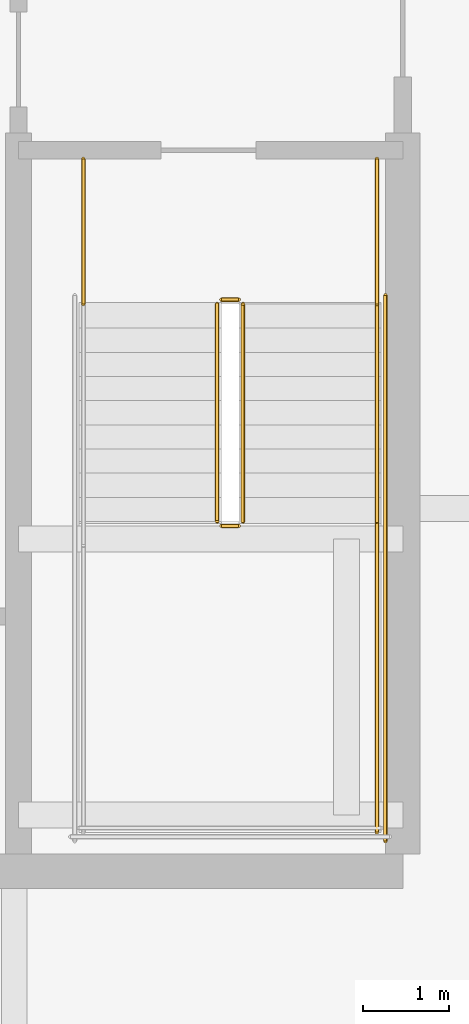
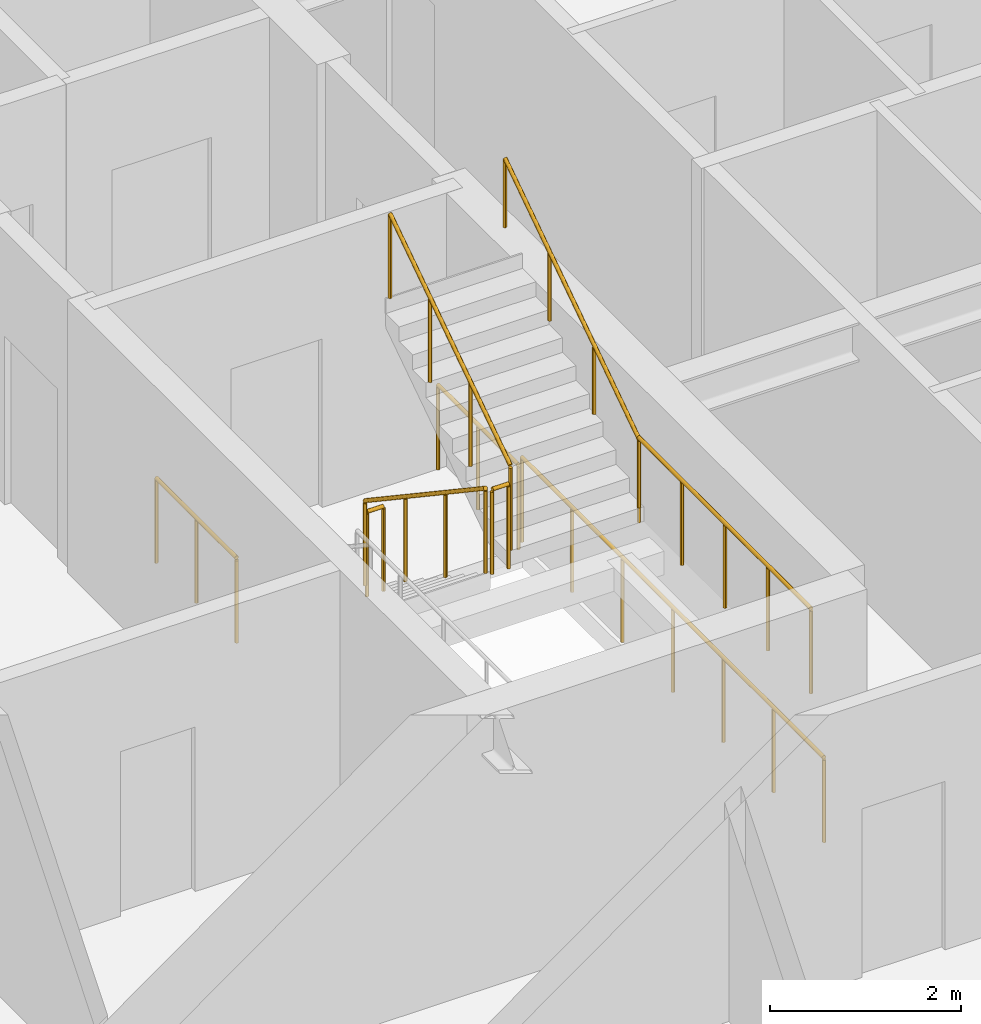
# One storey, part 33 of 35: 9 railings.
"""IFC4 building model written with IfcOpenShell, lengths in metres."""

from ifc_helpers import new_model, si_unit, direction, frame, origin, origin_2d, place, context, subcontext, project, spatial, circle, extrude, material, type_object, element, save


model = new_model("IFC4")

# Units and contexts
model_context = context("Model", 3, precision=1e-05, world=origin(), true_north=direction((0.0, 1.0)))
body_context = subcontext(model_context, "Body", "Model", "MODEL_VIEW")
ifc_project = project(units=[si_unit("LENGTHUNIT", "METRE"), si_unit("AREAUNIT", "SQUARE_METRE"), si_unit("VOLUMEUNIT", "CUBIC_METRE"), si_unit("PLANEANGLEUNIT", "RADIAN"), si_unit("MASSUNIT", "GRAM", prefix="KILO")], contexts=[model_context])

# Site, building, storey
site_placement = place(None, origin())
site = spatial("IfcSite", under=ifc_project, at=site_placement, CompositionType="ELEMENT")
building_placement = place(site_placement, origin())
building = spatial("IfcBuilding", under=site, at=building_placement, Name="Serunith Strait Residences", CompositionType="ELEMENT")
storey_placement = place(building_placement, frame((0.0, 0.0, 157.64990234375)))
storey = spatial("IfcBuildingStorey", under=building, at=storey_placement, Name="L39", CompositionType="ELEMENT", Elevation=157.64990234375)

# Railings
ifc_material = material(Name="Brushed stainless steel 316L", Category="steel")
railing_type_1 = type_object("IfcRailingType", Name="RLG-STAIR-GUARD", PredefinedType="BALUSTRADE", material=ifc_material)
railing_1_placement = place(storey_placement, frame((39.25, 23.3701171875, 0.1875)))
element("IfcRailing", 1, at=railing_1_placement, inside=storey, type_object=railing_type_1, Name="L39 ST-2 stair guard 1", PredefinedType="BALUSTRADE", context=body_context, shape_type="SweptSolid", body=[
    extrude(circle(Radius=0.02392578125, at=origin_2d()), frame((0.0, -0.001708984375, 1.0771484375), z_axis=(0.0, -0.830909170722, 0.55640807867), x_axis=(1.0, 0.0, 0.0)), (0.0, 0.0, 1.0), 3.02880859375),
    extrude(circle(Radius=0.02099609375, at=origin_2d()), origin(), (0.0, 0.0, 1.0), 1.050048828125),
    extrude(circle(Radius=0.02099609375, at=origin_2d()), frame((0.0, -0.840087890625, 0.5625)), (0.0, 0.0, 1.0), 1.050048828125),
    extrude(circle(Radius=0.02099609375, at=origin_2d()), frame((0.0, -1.679931640625, 1.125)), (0.0, 0.0, 1.0), 1.050048828125),
    extrude(circle(Radius=0.02099609375, at=origin_2d()), frame((0.0, -2.52001953125, 1.6875)), (0.0, 0.0, 1.0), 1.050048828125),
])
railing_2_placement = place(storey_placement, frame((39.300048828125, 20.800048828125, 1.875)))
element("IfcRailing", 2, at=railing_2_placement, inside=storey, type_object=railing_type_1, Name="L39 ST-2 stair guard 2", PredefinedType="BALUSTRADE", context=body_context, shape_type="SweptSolid", body=[
    extrude(circle(Radius=0.02392578125, at=origin_2d()), frame((0.001953125, 0.0, 1.076171875), z_axis=(1.0, 0.0, 0.0), x_axis=(0.0, 1.0, 0.0)), (0.0, 0.0, 1.0), 0.196044921875),
    extrude(circle(Radius=0.02099609375, at=origin_2d()), origin(), (0.0, 0.0, 1.0), 1.050048828125),
    extrude(circle(Radius=0.02099609375, at=origin_2d()), frame((0.199951171875, 0.0, 0.0)), (0.0, 0.0, 1.0), 1.050048828125),
])
railing_3_placement = place(storey_placement, frame((41.10009765625, 20.85009765625, 1.875)))
element("IfcRailing", 3, at=railing_3_placement, inside=storey, type_object=railing_type_1, Name="L39 ST-2 stair guard 4", PredefinedType="BALUSTRADE", context=body_context, shape_type="SweptSolid", body=[
    extrude(circle(Radius=0.02392578125, at=origin_2d()), frame((0.0, -0.001953125, 1.076171875), z_axis=(0.0, -1.0, 0.0), x_axis=(1.0, 0.0, 0.0)), (0.0, 0.0, 1.0), 3.59619140625),
    extrude(circle(Radius=0.02099609375, at=origin_2d()), origin(), (0.0, 0.0, 1.0), 1.050048828125),
    extrude(circle(Radius=0.02099609375, at=origin_2d()), frame((0.0, -0.89990234375, 0.0)), (0.0, 0.0, 1.0), 1.050048828125),
    extrude(circle(Radius=0.02099609375, at=origin_2d()), frame((0.0, -1.800048828125, 0.0)), (0.0, 0.0, 1.0), 1.050048828125),
    extrude(circle(Radius=0.02099609375, at=origin_2d()), frame((0.0, -2.7001953125, 0.0)), (0.0, 0.0, 1.0), 1.050048828125),
    extrude(circle(Radius=0.02099609375, at=origin_2d()), frame((0.0, -3.60009765625, 0.0)), (0.0, 0.0, 1.0), 1.050048828125),
])
railing_4_placement = place(storey_placement, frame((39.550048828125, 20.85009765625, 2.0625)))
element("IfcRailing", 4, at=railing_4_placement, inside=storey, type_object=railing_type_1, Name="L39 ST-2 stair guard 6", PredefinedType="BALUSTRADE", context=body_context, shape_type="SweptSolid", body=[
    extrude(circle(Radius=0.02392578125, at=origin_2d()), frame((0.0, 0.001708984375, 1.0771484375), z_axis=(0.0, 0.830909170722, 0.55640807867), x_axis=(-1.0, 0.0, 0.0)), (0.0, 0.0, 1.0), 3.02880859375),
    extrude(circle(Radius=0.02099609375, at=origin_2d()), origin(), (0.0, 0.0, 1.0), 1.050048828125),
    extrude(circle(Radius=0.02099609375, at=origin_2d()), frame((0.0, 0.840087890625, 0.5625)), (0.0, 0.0, 1.0), 1.050048828125),
    extrude(circle(Radius=0.02099609375, at=origin_2d()), frame((0.0, 1.679931640625, 1.125)), (0.0, 0.0, 1.0), 1.050048828125),
    extrude(circle(Radius=0.02099609375, at=origin_2d()), frame((0.0, 2.52001953125, 1.6875)), (0.0, 0.0, 1.0), 1.050048828125),
])
railing_5_placement = place(storey_placement, frame((39.300048828125, 23.419921875, 0.0)))
element("IfcRailing", 5, at=railing_5_placement, inside=storey, type_object=railing_type_1, Name="L39 ST-2 stair guard 7", PredefinedType="BALUSTRADE", context=body_context, shape_type="SweptSolid", body=[
    extrude(circle(Radius=0.02392578125, at=origin_2d()), frame((0.001953125, 0.0, 1.076171875), z_axis=(1.0, 0.0, 0.0), x_axis=(0.0, 1.0, 0.0)), (0.0, 0.0, 1.0), 0.196044921875),
    extrude(circle(Radius=0.02099609375, at=origin_2d()), origin(), (0.0, 0.0, 1.0), 1.050048828125),
    extrude(circle(Radius=0.02099609375, at=origin_2d()), frame((0.199951171875, 0.0, 0.0)), (0.0, 0.0, 1.0), 1.050048828125),
])
for number, where, name in (
    (6, (37.699951171875, 25.050048828125, 0.0), "L39 ST-2 stair guard 8"),
    (7, (41.10009765625, 25.050048828125, 0.0), "L39 ST-2 stair guard 9"),
):
    element("IfcRailing", number, at=place(storey_placement, frame(where)), inside=storey, type_object=railing_type_1, Name=name, PredefinedType="BALUSTRADE", context=body_context, shape_type="SweptSolid", body=[
        extrude(circle(Radius=0.02392578125, at=origin_2d()), frame((0.0, -0.001953125, 1.076171875), z_axis=(0.0, -1.0, 0.0), x_axis=(1.0, 0.0, 0.0)), (0.0, 0.0, 1.0), 1.676025390625),
        extrude(circle(Radius=0.02099609375, at=origin_2d()), origin(), (0.0, 0.0, 1.0), 1.050048828125),
        extrude(circle(Radius=0.02099609375, at=origin_2d()), frame((0.0, -0.83984375, 0.0)), (0.0, 0.0, 1.0), 1.050048828125),
        extrude(circle(Radius=0.02099609375, at=origin_2d()), frame((0.0, -1.679931640625, 0.0)), (0.0, 0.0, 1.0), 1.050048828125),
    ])
railing_6_placement = place(storey_placement, frame((41.199951171875, 23.469970703125, 0.0)))
element("IfcRailing", 8, at=railing_6_placement, inside=storey, type_object=railing_type_1, Name="L39 ST-2 stair guard 11", PredefinedType="BALUSTRADE", context=body_context, shape_type="SweptSolid", body=[
    extrude(circle(Radius=0.02392578125, at=origin_2d()), frame((0.0, -0.001953125, 1.076171875), z_axis=(0.0, -1.0, 0.0), x_axis=(1.0, 0.0, 0.0)), (0.0, 0.0, 1.0), 6.316162109375),
    extrude(circle(Radius=0.02099609375, at=origin_2d()), origin(), (0.0, 0.0, 1.0), 1.050048828125),
    extrude(circle(Radius=0.02099609375, at=origin_2d()), frame((0.0, -1.05322265625, 0.0)), (0.0, 0.0, 1.0), 1.050048828125),
    extrude(circle(Radius=0.02099609375, at=origin_2d()), frame((0.0, -2.106689453125, 0.0)), (0.0, 0.0, 1.0), 1.050048828125),
    extrude(circle(Radius=0.02099609375, at=origin_2d()), frame((0.0, -3.16015625, 0.0)), (0.0, 0.0, 1.0), 1.050048828125),
    extrude(circle(Radius=0.02099609375, at=origin_2d()), frame((0.0, -4.21337890625, 0.0)), (0.0, 0.0, 1.0), 1.050048828125),
    extrude(circle(Radius=0.02099609375, at=origin_2d()), frame((0.0, -5.2666015625, 0.0)), (0.0, 0.0, 1.0), 1.050048828125),
    extrude(circle(Radius=0.02099609375, at=origin_2d()), frame((0.0, -6.320068359375, 0.0)), (0.0, 0.0, 1.0), 1.050048828125),
])
railing_type_2 = type_object("IfcRailingType", Name="RLG-STAIR-HR", PredefinedType="HANDRAIL", material=ifc_material)
railing_7_placement = place(storey_placement, frame((41.10009765625, 20.85009765625, 2.0625)))
element("IfcRailing", 9, at=railing_7_placement, inside=storey, type_object=railing_type_2, Name="L39 ST-2 stair handrail 2", PredefinedType="HANDRAIL", context=body_context, shape_type="SweptSolid", body=[
    extrude(circle(Radius=0.02392578125, at=origin_2d()), frame((0.0, 0.001708984375, 0.876953125), z_axis=(0.0, 0.830185712471, 0.557486935101), x_axis=(-1.0, 0.0, 0.0)), (0.0, 0.0, 1.0), 3.368408203125),
    extrude(circle(Radius=0.02099609375, at=origin_2d()), origin(), (0.0, 0.0, 1.0), 0.849853515625),
    extrude(circle(Radius=0.02099609375, at=origin_2d()), frame((0.0, 0.933349609375, 0.626708984375)), (0.0, 0.0, 1.0), 0.849853515625),
    extrude(circle(Radius=0.02099609375, at=origin_2d()), frame((0.0, 1.866455078125, 1.25341796875)), (0.0, 0.0, 1.0), 0.849853515625),
    extrude(circle(Radius=0.02099609375, at=origin_2d()), frame((0.0, 2.7998046875, 1.880126953125)), (0.0, 0.0, 1.0), 0.849853515625),
])

save(model, "model.ifc")
